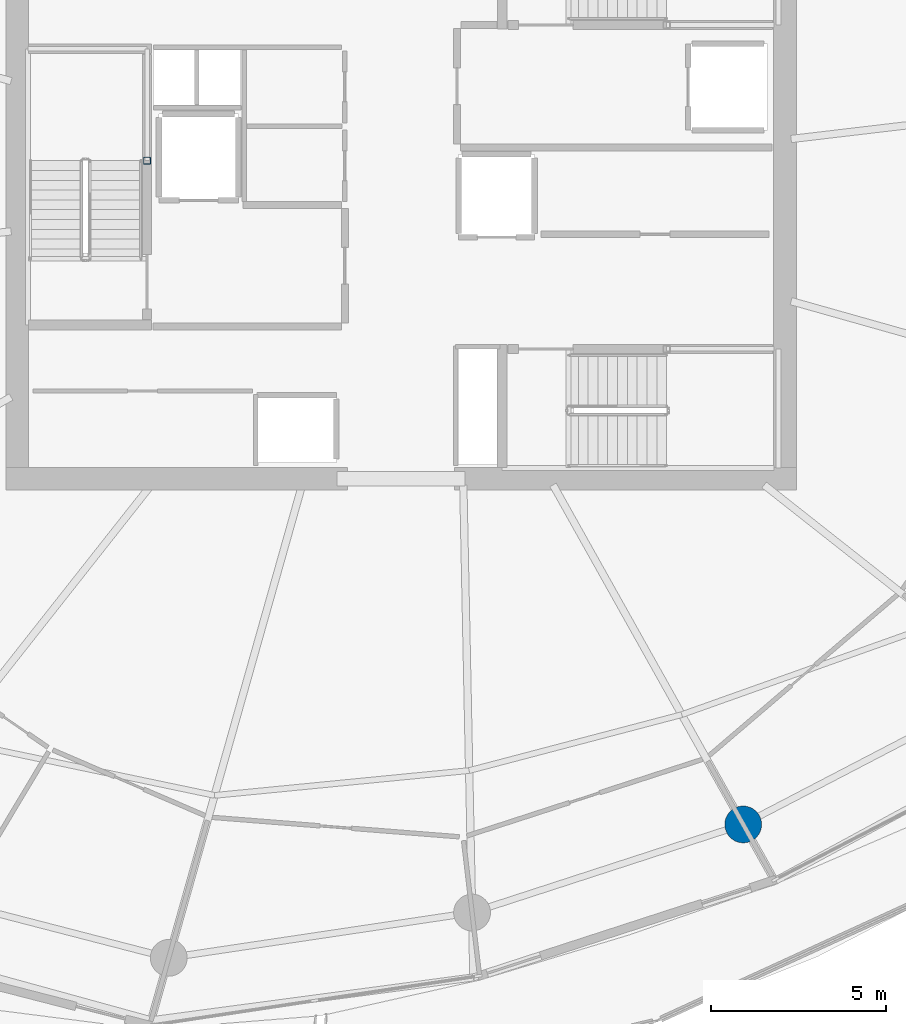
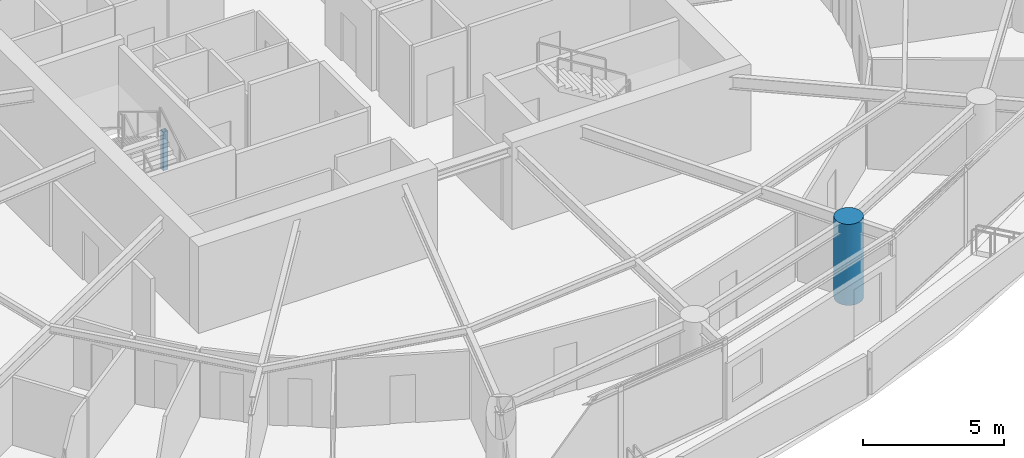
# One storey, part 2 of 19: 2 columns.
"""IFC4 building model written with IfcOpenShell, lengths in metres."""

from ifc_helpers import new_model, si_unit, direction, frame, origin, origin_2d, place, context, subcontext, project, spatial, hollow_rectangle, circle, extrude, material, material_profile, profile_set, type_object, element, save


model = new_model("IFC4")

# Units and contexts
model_context = context("Model", 3, precision=1e-05, world=origin(), true_north=direction((0.0, 1.0)))
body_context = subcontext(model_context, "Body", "Model", "MODEL_VIEW")
ifc_project = project(units=[si_unit("LENGTHUNIT", "METRE"), si_unit("AREAUNIT", "SQUARE_METRE"), si_unit("VOLUMEUNIT", "CUBIC_METRE"), si_unit("PLANEANGLEUNIT", "RADIAN"), si_unit("MASSUNIT", "GRAM", prefix="KILO")], contexts=[model_context])

# Site, building, storey
site_placement = place(None, origin())
site = spatial("IfcSite", under=ifc_project, at=site_placement, CompositionType="ELEMENT")
building_placement = place(site_placement, origin())
building = spatial("IfcBuilding", under=site, at=building_placement, Name="Kazma Halo Residences", CompositionType="ELEMENT")
storey_placement = place(building_placement, frame((0.0, 0.0, 199.050048828125)))
storey = spatial("IfcBuildingStorey", under=building, at=storey_placement, Name="L50", CompositionType="ELEMENT", Elevation=199.050048828125)

# Columns
ifc_material_1 = material(Name="Steel S355", Category="steel")
ifc_material_profile_1 = material_profile(ifc_material_1, hollow_rectangle(XDim=0.199951171875, YDim=0.199951171875, WallThickness=0.010009765625, InnerFilletRadius=0.010009765625, OuterFilletRadius=0.02001953125, at=origin_2d()), Name="SHS200x200x10")
ifc_profile_set_1 = profile_set([ifc_material_profile_1], Name="Steel S355")
column_type_1 = type_object("IfcColumnType", Name="COL-LP-SHS200", PredefinedType="COLUMN", material=ifc_profile_set_1)
column_1_placement = place(storey_placement, frame((41.179931640625, 42.75, 0.0), z_axis=(0.0, 0.0, 1.0), x_axis=(1.0, 0.0, 0.0)))
element("IfcColumn", 1, at=column_1_placement, inside=storey, type_object=column_type_1, Name="L50 ST-01 landing pilaster 1", PredefinedType="COLUMN", context=body_context, shape_type="SweptSolid", body=[
    extrude(hollow_rectangle(XDim=0.199951171875, YDim=0.199951171875, WallThickness=0.010009765625, InnerFilletRadius=0.010009765625, OuterFilletRadius=0.02001953125, at=origin_2d()), origin(), (0.0, 0.0, 1.0), 1.669921875),
])
ifc_material_2 = material(Name="Concrete C80/95", Category="concrete")
ifc_material_profile_2 = material_profile(ifc_material_2, circle(Radius=0.52490234375, at=origin_2d()), Name="CIRC1050")
ifc_profile_set_2 = profile_set([ifc_material_profile_2], Name="Concrete C80/95")
column_type_2 = type_object("IfcColumnType", Name="COL-PERIM-1050", PredefinedType="COLUMN", material=ifc_profile_set_2)
column_2_placement = place(storey_placement, frame((58.184814453125, 23.813720703125, 0.0), z_axis=(0.0, 0.0, 1.0), x_axis=(1.0, 0.0, 0.0)))
element("IfcColumn", 2, at=column_2_placement, inside=storey, type_object=column_type_2, Name="L50 perimeter ring column P13", PredefinedType="COLUMN", context=body_context, shape_type="SweptSolid", body=[
    extrude(circle(Radius=0.52490234375, at=origin_2d()), origin(), (0.0, 0.0, 1.0), 3.5),
])

save(model, "model.ifc")
